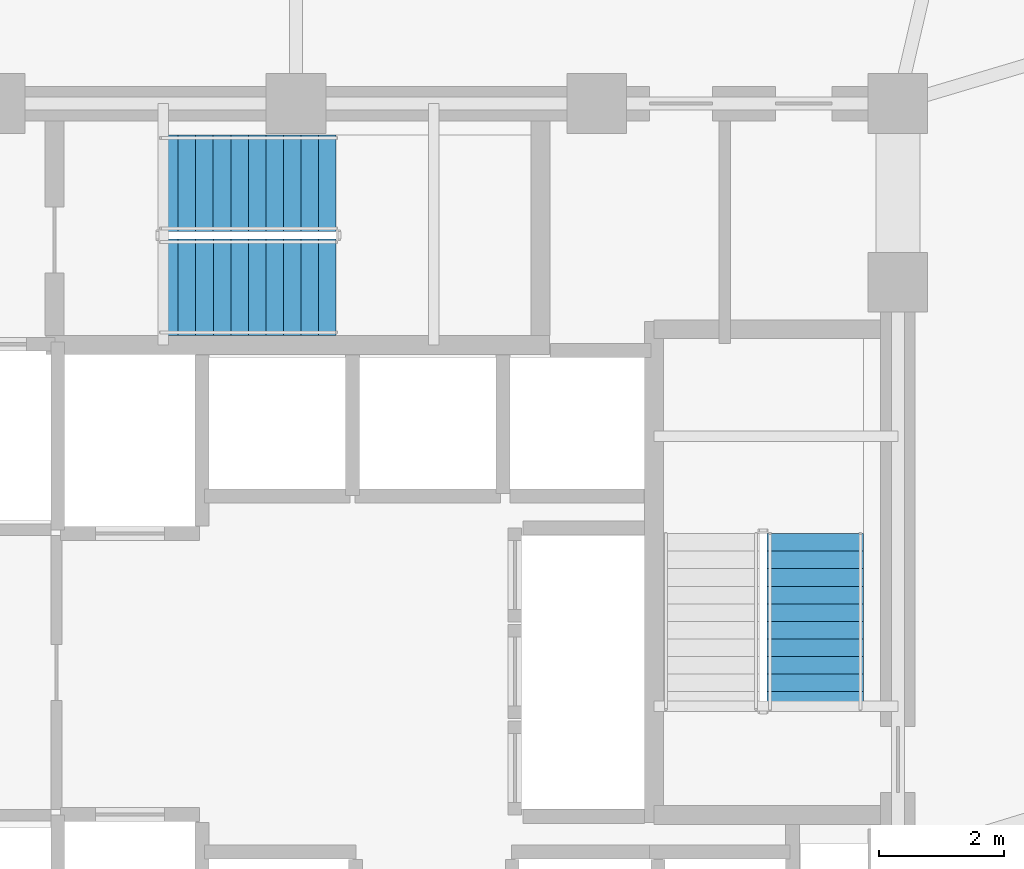
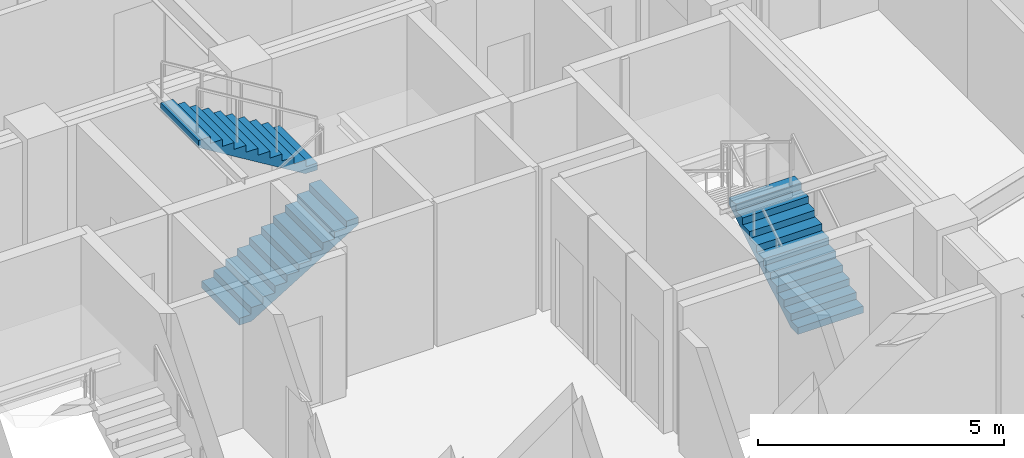
# One storey, part 8 of 12: 3 stair flights, 2 elements without a shape of their own.
"""IFC4 building model written with IfcOpenShell, lengths in metres."""

from ifc_helpers import new_model, si_unit, direction, frame, origin, place, context, subcontext, project, spatial, polyline, outline, extrude, material, type_object, element, aggregate, save


model = new_model("IFC4")

# Units and contexts
model_context = context("Model", 3, precision=1e-05, world=origin(), true_north=direction((0.0, 1.0)))
body_context = subcontext(model_context, "Body", "Model", "MODEL_VIEW")
ifc_project = project(units=[si_unit("LENGTHUNIT", "METRE"), si_unit("AREAUNIT", "SQUARE_METRE"), si_unit("VOLUMEUNIT", "CUBIC_METRE"), si_unit("PLANEANGLEUNIT", "RADIAN"), si_unit("MASSUNIT", "GRAM", prefix="KILO")], contexts=[model_context])

# Site, building, storey
site_placement = place(None, origin())
site = spatial("IfcSite", under=ifc_project, at=site_placement, CompositionType="ELEMENT")
building_placement = place(site_placement, origin())
building = spatial("IfcBuilding", under=site, at=building_placement, Name="Vantalir Tower", CompositionType="ELEMENT")
storey_placement = place(building_placement, frame((0.0, 0.0, 160.949951171875)))
storey = spatial("IfcBuildingStorey", under=building, at=storey_placement, Name="L40", CompositionType="ELEMENT", Elevation=160.949951171875)

# Stair, stair flight
ifc_material = material(Name="Concrete C40/50", Category="concrete")
stair_type = type_object("IfcStairType", Name="STR-CORE-1450", PredefinedType="HALF_TURN_STAIR", material=ifc_material)
stair_1_placement = place(storey_placement, origin())
stair_1 = element("IfcStair", 1, at=stair_1_placement, inside=storey, type_object=stair_type, Name="L40 Core Exit Stair 2", PredefinedType="HALF_TURN_STAIR")
stair_flight_type = type_object("IfcStairFlightType", Name="FLT-CORE-1450", PredefinedType="STRAIGHT", material=ifc_material)
stair_flight_1_placement = place(storey_placement, frame((39.780029296875, 22.7900390625, 0.0), z_axis=(0.0, 0.0, 1.0), x_axis=(0.0, 1.0, 0.0)))
stair_flight_1 = element("IfcStairFlight", 2, at=stair_flight_1_placement, type_object=stair_flight_type, Name="ST2 flight 1", NumberOfRisers=11, NumberOfTreads=10, PredefinedType="STRAIGHT", RiserHeight=0.170454545, TreadLength=0.28, context=body_context, shape_type="SweptSolid", body=[
    extrude(outline(polyline([(0.0, 0.0), (0.0, 0.17041015625), (0.280029296875, 0.17041015625), (0.280029296875, 0.3408203125), (0.56005859375, 0.3408203125), (0.56005859375, 0.511474609375), (0.840087890625, 0.511474609375), (0.840087890625, 0.681884765625), (1.1201171875, 0.681884765625), (1.1201171875, 0.852294921875), (1.39990234375, 0.852294921875), (1.39990234375, 1.022705078125), (1.679931640625, 1.022705078125), (1.679931640625, 1.193115234375), (1.9599609375, 1.193115234375), (1.9599609375, 1.363525390625), (2.239990234375, 1.363525390625), (2.239990234375, 1.5341796875), (2.52001953125, 1.5341796875), (2.52001953125, 1.70458984375), (2.800048828125, 1.70458984375), (2.800048828125, 1.875), (2.800048828125, 1.529052734375), (0.288330078125, 0.0), (0.0, 0.0)])), frame((0.0, 0.77001953125, 0.0), z_axis=(0.0, -1.0, 0.0), x_axis=(1.0, 0.0, 0.0)), (0.0, 0.0, 1.0), 1.5400390625),
])
aggregate(stair_1, [stair_flight_1])

# Stair, stair flights
stair_2_placement = place(storey_placement, origin())
stair_2 = element("IfcStair", 3, at=stair_2_placement, inside=storey, type_object=stair_type, Name="L40 Core Exit Stair 3", PredefinedType="HALF_TURN_STAIR")
stair_flight_2_placement = place(storey_placement, frame((29.340087890625, 29.52001953125, 0.0), z_axis=(0.0, 0.0, 1.0), x_axis=(1.0, 0.0, 0.0)))
stair_flight_2 = element("IfcStairFlight", 4, at=stair_flight_2_placement, type_object=stair_flight_type, Name="ST3 flight 1", NumberOfRisers=11, NumberOfTreads=10, PredefinedType="STRAIGHT", RiserHeight=0.170454545, TreadLength=0.28, context=body_context, shape_type="SweptSolid", body=[
    extrude(outline(polyline([(0.0, 0.0), (0.0, 0.17041015625), (0.280029296875, 0.17041015625), (0.280029296875, 0.3408203125), (0.56005859375, 0.3408203125), (0.56005859375, 0.511474609375), (0.840087890625, 0.511474609375), (0.840087890625, 0.681884765625), (1.1201171875, 0.681884765625), (1.1201171875, 0.852294921875), (1.39990234375, 0.852294921875), (1.39990234375, 1.022705078125), (1.679931640625, 1.022705078125), (1.679931640625, 1.193115234375), (1.9599609375, 1.193115234375), (1.9599609375, 1.363525390625), (2.239990234375, 1.363525390625), (2.239990234375, 1.5341796875), (2.52001953125, 1.5341796875), (2.52001953125, 1.70458984375), (2.800048828125, 1.70458984375), (2.800048828125, 1.875), (2.800048828125, 1.529052734375), (0.288330078125, 0.0), (0.0, 0.0)])), frame((0.0, 0.77001953125, 0.0), z_axis=(0.0, -1.0, 0.0), x_axis=(1.0, 0.0, 0.0)), (0.0, 0.0, 1.0), 1.5400390625),
])
stair_flight_3_placement = place(storey_placement, frame((32.139892578125, 31.179931640625, 1.875), z_axis=(0.0, 0.0, 1.0), x_axis=(-1.0, 0.0, 0.0)))
stair_flight_3 = element("IfcStairFlight", 5, at=stair_flight_3_placement, type_object=stair_flight_type, Name="ST3 flight 2", NumberOfRisers=11, NumberOfTreads=10, PredefinedType="STRAIGHT", RiserHeight=0.170454545, TreadLength=0.28, context=body_context, shape_type="SweptSolid", body=[
    extrude(outline(polyline([(0.0, 0.0), (0.0, 0.17041015625), (0.280029296875, 0.17041015625), (0.280029296875, 0.3408203125), (0.56005859375, 0.3408203125), (0.56005859375, 0.511474609375), (0.840087890625, 0.511474609375), (0.840087890625, 0.681884765625), (1.1201171875, 0.681884765625), (1.1201171875, 0.852294921875), (1.39990234375, 0.852294921875), (1.39990234375, 1.022705078125), (1.679931640625, 1.022705078125), (1.679931640625, 1.193115234375), (1.9599609375, 1.193115234375), (1.9599609375, 1.363525390625), (2.239990234375, 1.363525390625), (2.239990234375, 1.5341796875), (2.52001953125, 1.5341796875), (2.52001953125, 1.70458984375), (2.800048828125, 1.70458984375), (2.800048828125, 1.875), (2.800048828125, 1.529052734375), (0.288330078125, 0.0), (0.0, 0.0)])), frame((0.0, 0.77001953125, 0.0), z_axis=(0.0, -1.0, 0.0), x_axis=(1.0, 0.0, 0.0)), (0.0, 0.0, 1.0), 1.5400390625),
])
aggregate(stair_2, [stair_flight_2, stair_flight_3])

save(model, "model.ifc")
